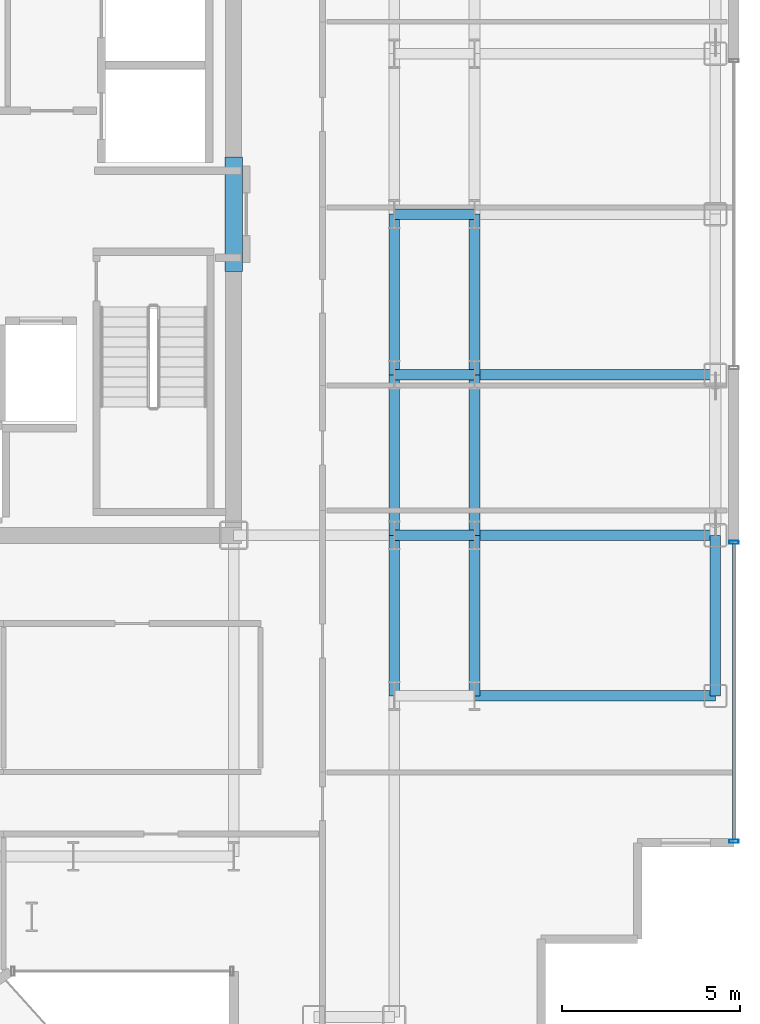
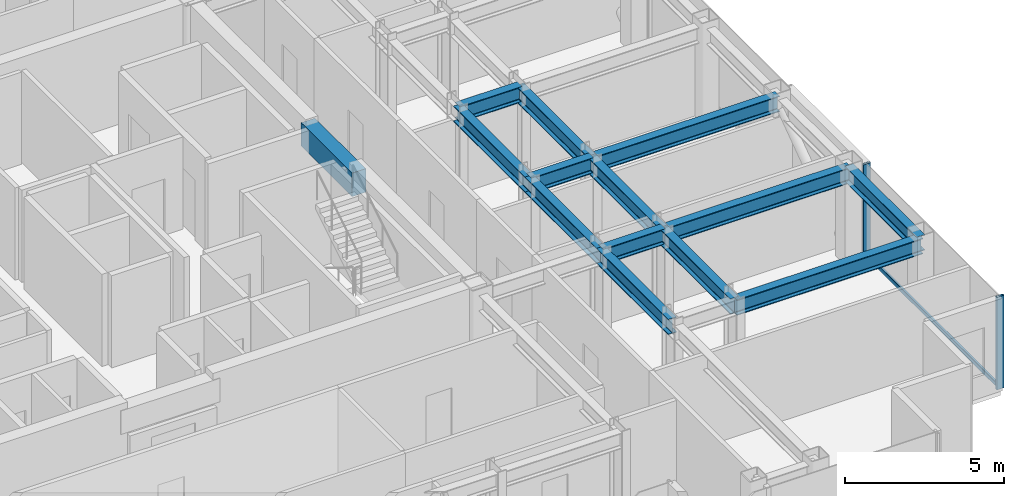
# One storey, part 7 of 22: 14 beams, 3 members, 1 element without a shape of its own.
"""IFC4 building model written with IfcOpenShell, lengths in metres."""

from ifc_helpers import new_model, si_unit, direction, frame, origin, origin_2d, place, context, subcontext, project, spatial, rectangle, hollow_rectangle, i_section, extrude, source, transform, mapped, material, layer, layer_set, material_profile, profile_set, type_object, element, aggregate, save


model = new_model("IFC4")

# Units and contexts
model_context = context("Model", 3, precision=1e-05, world=origin(), true_north=direction((0.0, 1.0)))
body_context = subcontext(model_context, "Body", "Model", "MODEL_VIEW")
ifc_project = project(units=[si_unit("LENGTHUNIT", "METRE"), si_unit("AREAUNIT", "SQUARE_METRE"), si_unit("VOLUMEUNIT", "CUBIC_METRE"), si_unit("PLANEANGLEUNIT", "RADIAN"), si_unit("MASSUNIT", "GRAM", prefix="KILO")], contexts=[model_context])

# Site, building, storey
site_placement = place(None, origin())
site = spatial("IfcSite", under=ifc_project, at=site_placement, CompositionType="ELEMENT")
building_placement = place(site_placement, origin())
building = spatial("IfcBuilding", under=site, at=building_placement, Name="Nefas-Gora Pilgrimage Tower", CompositionType="ELEMENT")
storey_placement = place(building_placement, frame((0.0, 0.0, 240.800048828125)))
storey = spatial("IfcBuildingStorey", under=building, at=storey_placement, Name="L60", CompositionType="ELEMENT", Elevation=240.800048828125)

# Beams
ifc_material_1 = material(Name="Concrete C50/60", Category="concrete")
ifc_material_profile_1 = material_profile(ifc_material_1, rectangle(XDim=0.5, YDim=0.89990234375, at=origin_2d()), Name="RC 500x900")
ifc_profile_set_1 = profile_set([ifc_material_profile_1], Name="Concrete C50/60")
beam_type_1 = type_object("IfcBeamType", Name="BM-LIN-RC900", PredefinedType="LINTEL", material=ifc_profile_set_1)
shared_shape_1 = source(origin(), body_context, "Body", "SweptSolid", [
    extrude(rectangle(XDim=0.5, YDim=0.89990234375, at=origin_2d()), origin(), (0.0, 0.0, 1.0), 3.2001953125),
])
beam_1_placement = place(storey_placement, frame((11.25, -1.60009765625, 3.099853515625), z_axis=(0.0, 1.0, 0.0), x_axis=(-1.0, 0.0, 0.0)))
element("IfcBeam", 1, at=beam_1_placement, inside=storey, type_object=beam_type_1, Name="L60 Core Coupling Lintel Beam E", PredefinedType="LINTEL", context=body_context, shape_type="MappedRepresentation", body=[
    mapped(shared_shape_1, transform((0.0, 0.0, 0.0), x_axis=(1.0, 0.0, 0.0), y_axis=(0.0, 1.0, 0.0), z_axis=(0.0, 0.0, 1.0), scale=1.0)),
])
ifc_material_2 = material(Name="Steel S355", Category="steel")
ifc_material_profile_2 = material_profile(ifc_material_2, i_section(OverallWidth=0.300048828125, OverallDepth=0.60009765625, WebThickness=0.015380859375, FlangeThickness=0.030029296875, FilletRadius=0.027099609375, at=origin_2d()), Name="HEB 600")
ifc_profile_set_2 = profile_set([ifc_material_profile_2], Name="Steel S355")
beam_type_2 = type_object("IfcBeamType", Name="BM-SPN-HEB450", PredefinedType="SPANDREL", material=ifc_profile_set_2)
shared_shape_2 = source(origin(), body_context, "Body", "SweptSolid", [
    extrude(i_section(OverallWidth=0.300048828125, OverallDepth=0.60009765625, WebThickness=0.015380859375, FlangeThickness=0.030029296875, FilletRadius=0.027099609375, at=origin_2d()), origin(), (0.0, 0.0, 1.0), 4.5),
])
beam_2_placement = place(storey_placement, frame((24.75, -13.5, 3.25), z_axis=(0.0, 1.0, 0.0), x_axis=(-1.0, 0.0, 0.0)))
element("IfcBeam", 2, at=beam_2_placement, inside=storey, type_object=beam_type_2, Name="L60 SP-03 beam", PredefinedType="SPANDREL", context=body_context, shape_type="MappedRepresentation", body=[
    mapped(shared_shape_2, transform((0.0, 0.0, 0.0), x_axis=(1.0, 0.0, 0.0), y_axis=(0.0, 1.0, 0.0), z_axis=(0.0, 0.0, 1.0), scale=1.0)),
])
ifc_material_profile_3 = material_profile(ifc_material_2, i_section(OverallWidth=0.300048828125, OverallDepth=0.60009765625, WebThickness=0.015380859375, FlangeThickness=0.030029296875, FilletRadius=0.027099609375, at=origin_2d()), Name="HEB 600")
ifc_profile_set_3 = profile_set([ifc_material_profile_3], Name="Steel S355")
beam_type_3 = type_object("IfcBeamType", Name="BM-GIR-HEB600", PredefinedType="BEAM", material=ifc_profile_set_3)
shared_shape_3 = source(origin(), body_context, "Body", "SweptSolid", [
    extrude(i_section(OverallWidth=0.300048828125, OverallDepth=0.60009765625, WebThickness=0.015380859375, FlangeThickness=0.030029296875, FilletRadius=0.027099609375, at=origin_2d()), origin(), (0.0, 0.0, 1.0), 4.5),
])
for number, where, z_axis, x_axis, name in (
    (3, (15.75, -13.5, 3.25), (0.0, 1.0, 0.0), (-1.0, 0.0, 0.0), "L60 G-04 beam"),
    (4, (15.75, -9.0, 3.25), (0.0, 1.0, 0.0), (-1.0, 0.0, 0.0), "L60 G-04 beam"),
    (5, (15.75, -4.5, 3.25), (0.0, 1.0, 0.0), (-1.0, 0.0, 0.0), "L60 G-04 beam"),
    (6, (18.0, -13.5, 3.25), (0.0, 1.0, 0.0), (-1.0, 0.0, 0.0), "L60 G-04 beam"),
    (7, (18.0, -9.0, 3.25), (0.0, 1.0, 0.0), (-1.0, 0.0, 0.0), "L60 G-04 beam"),
    (8, (18.0, -4.5, 3.25), (0.0, 1.0, 0.0), (-1.0, 0.0, 0.0), "L60 G-04 beam"),
):
    element("IfcBeam", number, at=place(storey_placement, frame(where, z_axis=z_axis, x_axis=x_axis)), inside=storey, type_object=beam_type_3, Name=name, PredefinedType="BEAM", context=body_context, shape_type="MappedRepresentation", body=[
        mapped(shared_shape_3, transform((0.0, 0.0, 0.0), x_axis=(1.0, 0.0, 0.0), y_axis=(0.0, 1.0, 0.0), z_axis=(0.0, 0.0, 1.0), scale=1.0)),
    ])
shared_shape_4 = source(origin(), body_context, "Body", "SweptSolid", [
    extrude(i_section(OverallWidth=0.300048828125, OverallDepth=0.60009765625, WebThickness=0.015380859375, FlangeThickness=0.030029296875, FilletRadius=0.027099609375, at=origin_2d()), origin(), (0.0, 0.0, 1.0), 6.75),
])
for number, where, z_axis, x_axis, name in (
    (9, (18.0, -13.5, 3.25), (1.0, 0.0, 0.0), (0.0, 1.0, 0.0), "L60 G-04 beam"),
    (10, (18.0, -9.0, 3.25), (1.0, 0.0, 0.0), (0.0, 1.0, 0.0), "L60 G-04 beam"),
    (11, (18.0, -4.5, 3.25), (1.0, 0.0, 0.0), (0.0, 1.0, 0.0), "L60 G-04 beam"),
):
    element("IfcBeam", number, at=place(storey_placement, frame(where, z_axis=z_axis, x_axis=x_axis)), inside=storey, type_object=beam_type_3, Name=name, PredefinedType="BEAM", context=body_context, shape_type="MappedRepresentation", body=[
        mapped(shared_shape_4, transform((0.0, 0.0, 0.0), x_axis=(1.0, 0.0, 0.0), y_axis=(0.0, 1.0, 0.0), z_axis=(0.0, 0.0, 1.0), scale=1.0)),
    ])
shared_shape_5 = source(origin(), body_context, "Body", "SweptSolid", [
    extrude(i_section(OverallWidth=0.300048828125, OverallDepth=0.60009765625, WebThickness=0.015380859375, FlangeThickness=0.030029296875, FilletRadius=0.027099609375, at=origin_2d()), origin(), (0.0, 0.0, 1.0), 2.25),
])
for number, where, z_axis, x_axis, name in (
    (12, (15.75, -9.0, 3.25), (1.0, 0.0, 0.0), (0.0, 1.0, 0.0), "L60 G-04 beam"),
    (13, (15.75, -4.5, 3.25), (1.0, 0.0, 0.0), (0.0, 1.0, 0.0), "L60 G-04 beam"),
    (14, (15.75, 0.0, 3.25), (1.0, 0.0, 0.0), (0.0, 1.0, 0.0), "L60 G-04 beam"),
):
    element("IfcBeam", number, at=place(storey_placement, frame(where, z_axis=z_axis, x_axis=x_axis)), inside=storey, type_object=beam_type_3, Name=name, PredefinedType="BEAM", context=body_context, shape_type="MappedRepresentation", body=[
        mapped(shared_shape_5, transform((0.0, 0.0, 0.0), x_axis=(1.0, 0.0, 0.0), y_axis=(0.0, 1.0, 0.0), z_axis=(0.0, 0.0, 1.0), scale=1.0)),
    ])

# Curtain wall, members
ifc_material_3 = material(Name="Dark ceramic-fritted solar-control aluminium-glass curtain wall", Category="aluminium")
ifc_layer = layer(ifc_material_3, 0.219970703125)
ifc_layer_set = layer_set([ifc_layer], Name="Dark ceramic-fritted solar-control aluminium-glass curtain wall")
curtain_wall_type = type_object("IfcCurtainWallType", Name="CW-SYS-3", PredefinedType="NOTDEFINED", material=ifc_layer_set)
curtain_wall_placement = place(storey_placement, origin())
curtain_wall = element("IfcCurtainWall", 15, at=curtain_wall_placement, inside=storey, type_object=curtain_wall_type, Name="L60 Unitised Curtain Wall CW3", PredefinedType="NOTDEFINED")
ifc_material_4 = material(Name="Anodised architectural aluminium", Category="aluminium")
ifc_material_profile_4 = material_profile(ifc_material_4, hollow_rectangle(XDim=0.090087890625, YDim=0.260009765625, WallThickness=0.006103515625, InnerFilletRadius=0.006103515625, OuterFilletRadius=0.011962890625, at=origin_2d()), Name="ALU MULLION 90x260")
ifc_profile_set_4 = profile_set([ifc_material_profile_4], Name="Anodised architectural aluminium")
member_type_1 = type_object("IfcMemberType", Name="CWM-MUL-3", PredefinedType="MULLION", material=ifc_profile_set_4)
shared_shape_6 = source(origin(), body_context, "Body", "SweptSolid", [
    extrude(hollow_rectangle(XDim=0.090087890625, YDim=0.260009765625, WallThickness=0.006103515625, InnerFilletRadius=0.006103515625, OuterFilletRadius=0.011962890625, at=origin_2d()), origin(), (0.0, 0.0, 1.0), 3.550048828125),
])
member_1_placement = place(storey_placement, frame((25.27001953125, -17.574951171875, 0.0), z_axis=(0.0, 0.0, 1.0), x_axis=(0.0, 1.0, 0.0)))
member_1 = element("IfcMember", 16, at=member_1_placement, type_object=member_type_1, Name="CW3 Mullion 1", PredefinedType="MULLION", context=body_context, shape_type="MappedRepresentation", body=[
    mapped(shared_shape_6, transform((0.0, 0.0, 0.0), x_axis=(1.0, 0.0, 0.0), y_axis=(0.0, 1.0, 0.0), z_axis=(0.0, 0.0, 1.0), scale=1.0)),
])
member_2_placement = place(storey_placement, frame((25.27001953125, -9.195068359375, 0.0), z_axis=(0.0, 0.0, 1.0), x_axis=(0.0, 1.0, 0.0)))
member_2 = element("IfcMember", 17, at=member_2_placement, type_object=member_type_1, Name="CW3 Mullion 2", PredefinedType="MULLION", context=body_context, shape_type="MappedRepresentation", body=[
    mapped(shared_shape_6, transform((0.0, 0.0, 0.0), x_axis=(1.0, 0.0, 0.0), y_axis=(0.0, 1.0, 0.0), z_axis=(0.0, 0.0, 1.0), scale=1.0)),
])
ifc_material_profile_5 = material_profile(ifc_material_4, hollow_rectangle(XDim=0.080078125, YDim=0.159912109375, WallThickness=0.00439453125, InnerFilletRadius=0.00439453125, OuterFilletRadius=0.009033203125, at=origin_2d()), Name="ALU TRANSOM 80x160")
ifc_profile_set_5 = profile_set([ifc_material_profile_5], Name="Anodised architectural aluminium")
member_type_2 = type_object("IfcMemberType", Name="CWM-TRN-3", PredefinedType="USERDEFINED", material=ifc_profile_set_5)
shared_shape_7 = source(origin(), body_context, "Body", "SweptSolid", [
    extrude(hollow_rectangle(XDim=0.080078125, YDim=0.159912109375, WallThickness=0.00439453125, InnerFilletRadius=0.00439453125, OuterFilletRadius=0.009033203125, at=origin_2d()), origin(), (0.0, 0.0, 1.0), 8.2900390625),
])
member_3_placement = place(storey_placement, frame((25.27001953125, -17.530029296875, 0.050048828125), z_axis=(0.0, 1.0, 0.0), x_axis=(-1.0, 0.0, 0.0)))
member_3 = element("IfcMember", 18, at=member_3_placement, type_object=member_type_2, Name="CW3 Spandrel Transom", ObjectType="TRANSOM", PredefinedType="USERDEFINED", context=body_context, shape_type="MappedRepresentation", body=[
    mapped(shared_shape_7, transform((0.0, 0.0, 0.0), x_axis=(1.0, 0.0, 0.0), y_axis=(0.0, 1.0, 0.0), z_axis=(0.0, 0.0, 1.0), scale=1.0)),
])
aggregate(curtain_wall, [member_1, member_2, member_3])

save(model, "model.ifc")
